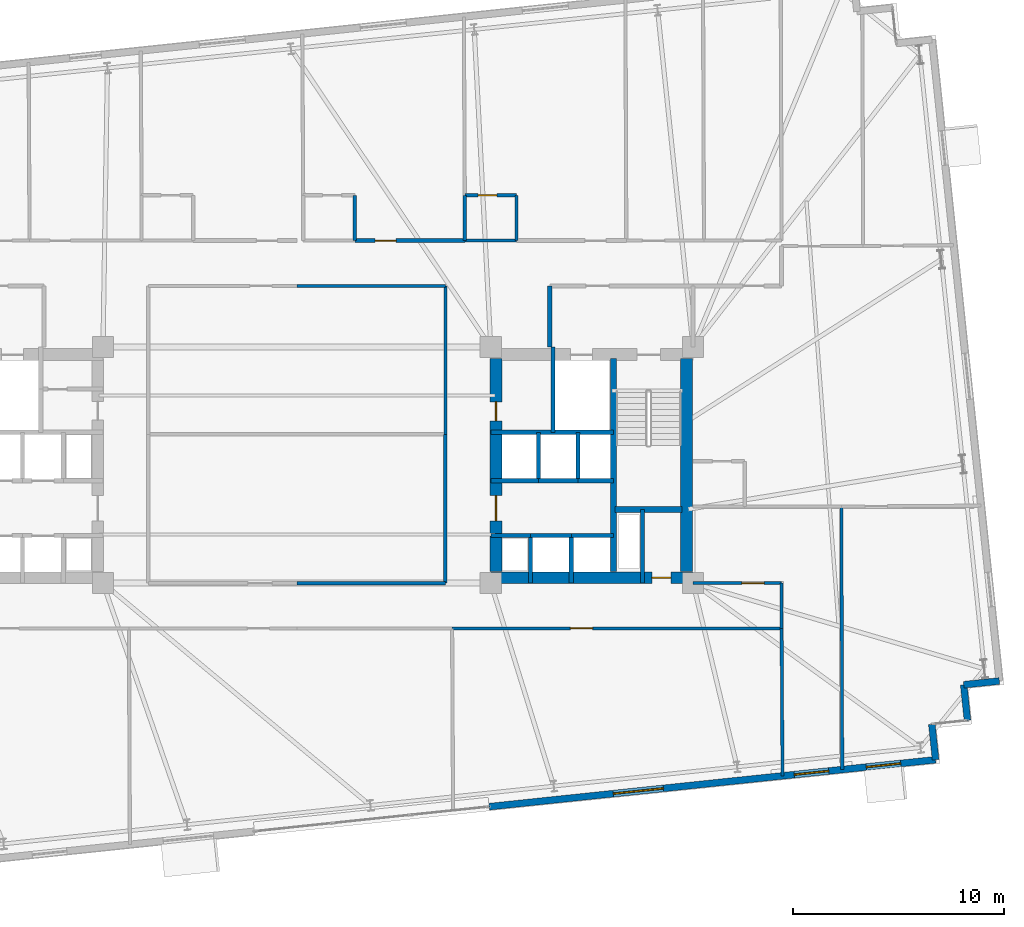
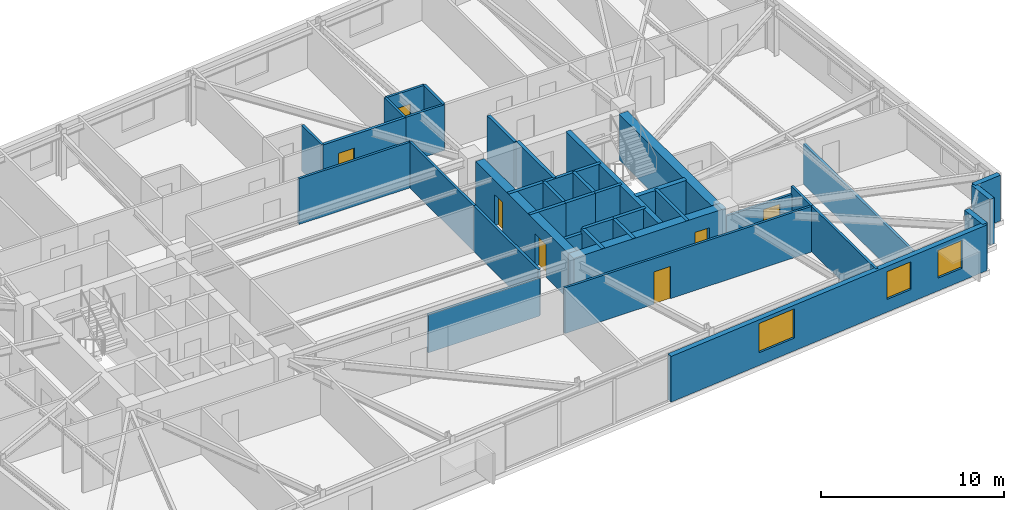
# One storey, part 18 of 23: 38 walls, 7 doors, 3 windows, 10 openings.
"""IFC4 building model written with IfcOpenShell, lengths in metres."""

from ifc_helpers import new_model, si_unit, direction, frame, frame_2d, origin, place, context, subcontext, project, spatial, rectangle, extrude, material, layer, layer_set, type_object, element, fill, save


model = new_model("IFC4")

# Units and contexts
model_context = context("Model", 3, precision=1e-05, world=origin(), true_north=direction((0.0, 1.0)))
body_context = subcontext(model_context, "Body", "Model", "MODEL_VIEW")
ifc_project = project(units=[si_unit("LENGTHUNIT", "METRE"), si_unit("AREAUNIT", "SQUARE_METRE"), si_unit("VOLUMEUNIT", "CUBIC_METRE"), si_unit("PLANEANGLEUNIT", "RADIAN"), si_unit("MASSUNIT", "GRAM", prefix="KILO")], contexts=[model_context])

# Site, building, storey
site_placement = place(None, origin())
site = spatial("IfcSite", under=ifc_project, at=site_placement, CompositionType="ELEMENT")
building_placement = place(site_placement, origin())
building = spatial("IfcBuilding", under=site, at=building_placement, Name="Qobustan Lattice House", CompositionType="ELEMENT")
storey_placement = place(building_placement, frame((0.0, 0.0, 102.449951171875)))
storey = spatial("IfcBuildingStorey", under=building, at=storey_placement, Name="L28", CompositionType="ELEMENT", Elevation=102.449951171875)

# Wall, opening, door
ifc_material_1 = material(Name="Concrete C60/75", Category="concrete")
ifc_layer_1 = layer(ifc_material_1, 0.56005859375)
ifc_layer_set_1 = layer_set([ifc_layer_1], Name="Concrete C60/75")
wall_type_1 = type_object("IfcWallType", Name="WAL-CORE-600", PredefinedType="SHEAR", material=ifc_layer_set_1)
wall_1_placement = place(storey_placement, frame((9.199951171875, -5.35009765625, 0.0), z_axis=(0.0, 0.0, 1.0), x_axis=(1.0, 0.0, 0.0)))
wall_1 = element("IfcWall", 1, at=wall_1_placement, inside=storey, type_object=wall_type_1, Name="L28 split-core shear wall CE-S", PredefinedType="SHEAR", context=body_context, shape_type="SweptSolid", body=[
    extrude(rectangle(XDim=9.60009765625, YDim=0.56005859375, at=frame_2d((4.800048828125, 0.0))), origin(), (0.0, 0.0, 1.0), 3.045166015625),
])
opening_1_placement = place(wall_1_placement, frame((7.64990234375, 0.0, 0.0)))
opening_1 = element("IfcOpeningElement", 2, at=opening_1_placement, cuts=wall_1, Name="Opening RD-01", PredefinedType="OPENING", context=body_context, shape_type="SweptSolid", body=[
    extrude(rectangle(XDim=0.89990234375, YDim=2.10009765625, at=frame_2d((0.449951171875, 1.050048828125))), frame((0.0, 0.2900390625, 0.0), z_axis=(0.0, -1.0, 0.0), x_axis=(1.0, 0.0, 0.0)), (0.0, 0.0, 1.0), 0.580078125),
])
ifc_material_2 = material(Name="Persian walnut timber and steel frame door", Category="steel")
door_type_1 = type_object("IfcDoorType", Name="DOR-RISER-FD-900x2100", OperationType="NOTDEFINED", PredefinedType="DOOR", material=ifc_material_2)
door_1_placement = place(opening_1_placement, origin())
door_1 = element("IfcDoor", 3, at=door_1_placement, inside=storey, type_object=door_type_1, Name="L28 core service riser access door E", OperationType="SINGLE_SWING_RIGHT", OverallHeight=2.10009765625, OverallWidth=0.89990234375, PredefinedType="DOOR", context=body_context, shape_type="SweptSolid", body=[
    extrude(rectangle(XDim=0.89990234375, YDim=2.10009765625, at=frame_2d((0.449951171875, 1.050048828125))), frame((0.0, 0.02490234375, 0.0), z_axis=(0.0, -1.0, 0.0), x_axis=(1.0, 0.0, 0.0)), (0.0, 0.0, 1.0), 0.050048828125),
])
fill(opening_1, door_1)

# Wall, openings, doors
wall_2_placement = place(storey_placement, frame((9.449951171875, -5.050048828125, 0.0), z_axis=(0.0, 0.0, 1.0), x_axis=(0.0, 1.0, 0.0)))
wall_2 = element("IfcWall", 4, at=wall_2_placement, inside=storey, type_object=wall_type_1, Name="L28 split-core shear wall CE-W", PredefinedType="SHEAR", context=body_context, shape_type="SweptSolid", body=[
    extrude(rectangle(XDim=10.10009765625, YDim=0.56005859375, at=frame_2d((5.050048828125, 0.0))), origin(), (0.0, 0.0, 1.0), 3.045166015625),
])
opening_2_placement = place(wall_2_placement, frame((7.14990234375, 0.0, 0.0)))
opening_2 = element("IfcOpeningElement", 5, at=opening_2_placement, cuts=wall_2, Name="Opening RD-01", PredefinedType="OPENING", context=body_context, shape_type="SweptSolid", body=[
    extrude(rectangle(XDim=0.89990234375, YDim=2.10009765625, at=frame_2d((0.449951171875, 1.050048828125))), frame((0.0, 0.2900390625, 0.0), z_axis=(0.0, -1.0, 0.0), x_axis=(1.0, 0.0, 0.0)), (0.0, 0.0, 1.0), 0.580078125),
])
opening_3_placement = place(wall_2_placement, frame((2.39990234375, 0.0, 0.0)))
opening_3 = element("IfcOpeningElement", 6, at=opening_3_placement, cuts=wall_2, Name="Opening FD-01", PredefinedType="OPENING", context=body_context, shape_type="SweptSolid", body=[
    extrude(rectangle(XDim=1.199951171875, YDim=2.14990234375, at=frame_2d((0.60009765625, 1.074951171875))), frame((0.0, 0.2900390625, 0.0), z_axis=(0.0, -1.0, 0.0), x_axis=(1.0, 0.0, 0.0)), (0.0, 0.0, 1.0), 0.580078125),
])
ifc_material_3 = material(Name="Persian walnut timber and steel frame door", Category="steel")
door_type_2 = type_object("IfcDoorType", Name="DOR-LOBBY-FD-1200x2150", OperationType="NOTDEFINED", PredefinedType="DOOR", material=ifc_material_3)
door_2_placement = place(opening_3_placement, origin())
door_2 = element("IfcDoor", 7, at=door_2_placement, inside=storey, type_object=door_type_2, Name="L28 East passenger lift lobby fire door", OperationType="SINGLE_SWING_LEFT", OverallHeight=2.14990234375, OverallWidth=1.199951171875, PredefinedType="DOOR", context=body_context, shape_type="SweptSolid", body=[
    extrude(rectangle(XDim=1.199951171875, YDim=2.14990234375, at=frame_2d((0.60009765625, 1.074951171875))), frame((0.0, 0.02490234375, 0.0), z_axis=(0.0, -1.0, 0.0), x_axis=(1.0, 0.0, 0.0)), (0.0, 0.0, 1.0), 0.050048828125),
])
fill(opening_3, door_2)
door_3_placement = place(opening_2_placement, origin())
door_3 = element("IfcDoor", 8, at=door_3_placement, inside=storey, type_object=door_type_1, Name="L28 Housekeeping linen store fire door", OperationType="SINGLE_SWING_RIGHT", OverallHeight=2.10009765625, OverallWidth=0.89990234375, PredefinedType="DOOR", context=body_context, shape_type="SweptSolid", body=[
    extrude(rectangle(XDim=0.89990234375, YDim=2.10009765625, at=frame_2d((0.449951171875, 1.050048828125))), frame((0.0, 0.02490234375, 0.0), z_axis=(0.0, -1.0, 0.0), x_axis=(1.0, 0.0, 0.0)), (0.0, 0.0, 1.0), 0.050048828125),
])
fill(opening_2, door_3)

# Walls
wall_3_placement = place(storey_placement, frame((18.489990234375, -5.050048828125, 0.0), z_axis=(0.0, 0.0, 1.0), x_axis=(0.0, 1.0, 0.0)))
element("IfcWall", 9, at=wall_3_placement, inside=storey, type_object=wall_type_1, Name="L28 split-core shear wall CE-E", PredefinedType="SHEAR", context=body_context, shape_type="SweptSolid", body=[
    extrude(rectangle(XDim=10.10009765625, YDim=0.56005859375, at=frame_2d((5.050048828125, 0.0))), origin(), (0.0, 0.0, 1.0), 3.045166015625),
])
ifc_material_4 = material(Name="Concrete C50/60", Category="concrete")
ifc_layer_2 = layer(ifc_material_4, 0.280029296875)
ifc_layer_set_2 = layer_set([ifc_layer_2], Name="Concrete C50/60")
wall_type_2 = type_object("IfcWallType", Name="WAL-CORE-SPINE-280", PredefinedType="SHEAR", material=ifc_layer_set_2)
wall_4_placement = place(storey_placement, frame((15.02001953125, -5.050048828125, 0.0), z_axis=(0.0, 0.0, 1.0), x_axis=(0.0, 1.0, 0.0)))
element("IfcWall", 10, at=wall_4_placement, inside=storey, type_object=wall_type_2, Name="L28 split-core shear wall CE-M", PredefinedType="SHEAR", context=body_context, shape_type="SweptSolid", body=[
    extrude(rectangle(XDim=10.10009765625, YDim=0.300048828125, at=frame_2d((5.050048828125, 0.0))), origin(), (0.0, 0.0, 1.0), 3.045166015625),
])
wall_5_placement = place(storey_placement, frame((15.10009765625, -2.110107421875, 0.0), z_axis=(0.0, 0.0, 1.0), x_axis=(1.0, 0.0, 0.0)))
element("IfcWall", 11, at=wall_5_placement, inside=storey, type_object=wall_type_2, Name="L28 split-core shear wall CE-ST", PredefinedType="SHEAR", context=body_context, shape_type="SweptSolid", body=[
    extrude(rectangle(XDim=3.179931640625, YDim=0.300048828125, at=frame_2d((1.58984375, 0.0))), origin(), (0.0, 0.0, 1.0), 3.045166015625),
])
ifc_material_5 = material(Name="Precast concrete C40/50", Category="concrete")
ifc_layer_3 = layer(ifc_material_5, 0.320068359375)
ifc_layer_set_3 = layer_set([ifc_layer_3], Name="Precast concrete C40/50")
wall_type_3 = type_object("IfcWallType", Name="WAL-EXT-STONE-320", PredefinedType="SOLIDWALL", material=ifc_layer_set_3)
for number, where, z_axis, x_axis, name in (
    (12, (33.333251953125, -10.2490234375, 0.0), (0.0, 0.0, 1.0), (-0.994519608382, -0.104550220202, 0.0), "L28 exterior limestone-clad wall 16"),
    (13, (31.642578125, -10.4267578125, 0.0), (0.0, 0.0, 1.0), (0.104550220202, -0.994519608382, 0.0), "L28 exterior limestone-clad wall 17"),
):
    element("IfcWall", number, at=place(storey_placement, frame(where, z_axis=z_axis, x_axis=x_axis)), inside=storey, type_object=wall_type_3, Name=name, PredefinedType="SOLIDWALL", context=body_context, shape_type="SweptSolid", body=[
        extrude(rectangle(XDim=1.699951171875, YDim=0.320068359375, at=frame_2d((0.85009765625, 0.0))), origin(), (0.0, 0.0, 1.0), 3.045166015625),
    ])
wall_6_placement = place(storey_placement, frame((30.129638671875, -12.295166015625, 0.0), z_axis=(0.0, 0.0, 1.0), x_axis=(0.104565154801, -0.994518038248, 0.0)))
element("IfcWall", 14, at=wall_6_placement, inside=storey, type_object=wall_type_3, Name="L28 exterior limestone-clad wall 19", PredefinedType="SOLIDWALL", context=body_context, shape_type="SweptSolid", body=[
    extrude(rectangle(XDim=1.69970703125, YDim=0.320068359375, at=frame_2d((0.849853515625, 0.0))), origin(), (0.0, 0.0, 1.0), 3.045166015625),
])

# Wall, openings, windows
wall_7_placement = place(storey_placement, frame((30.307373046875, -13.985595703125, 0.0), z_axis=(0.0, 0.0, 1.0), x_axis=(-0.994521393935, -0.104533233979, 0.0)))
wall_7 = element("IfcWall", 15, at=wall_7_placement, inside=storey, type_object=wall_type_3, Name="L28 iwan flank stone wall A", PredefinedType="SOLIDWALL", context=body_context, shape_type="SweptSolid", body=[
    extrude(rectangle(XDim=21.300048828125, YDim=0.320068359375, at=frame_2d((10.64990234375, 0.0))), origin(), (0.0, 0.0, 1.0), 3.045166015625),
])
opening_4_placement = place(wall_7_placement, frame((1.6572265625, 0.0, 0.85009765625)))
opening_4 = element("IfcOpeningElement", 16, at=opening_4_placement, cuts=wall_7, Name="Opening WN-09", PredefinedType="OPENING", context=body_context, shape_type="SweptSolid", body=[
    extrude(rectangle(XDim=1.64990234375, YDim=1.85009765625, at=frame_2d((0.824951171875, 0.925048828125))), frame((0.0, 0.169921875, 0.0), z_axis=(0.0, -1.0, 0.0), x_axis=(1.0, 0.0, 0.0)), (0.0, 0.0, 1.0), 0.340087890625),
])
opening_5_placement = place(wall_7_placement, frame((5.1005859375, 0.0, 0.85009765625)))
opening_5 = element("IfcOpeningElement", 17, at=opening_5_placement, cuts=wall_7, Name="Opening WN-09", PredefinedType="OPENING", context=body_context, shape_type="SweptSolid", body=[
    extrude(rectangle(XDim=1.64990234375, YDim=1.85009765625, at=frame_2d((0.824951171875, 0.925048828125))), frame((0.0, 0.169921875, 0.0), z_axis=(0.0, -1.0, 0.0), x_axis=(1.0, 0.0, 0.0)), (0.0, 0.0, 1.0), 0.340087890625),
])
opening_6_placement = place(wall_7_placement, frame((12.9833984375, 0.0, 0.85009765625)))
opening_6 = element("IfcOpeningElement", 18, at=opening_6_placement, cuts=wall_7, Name="Opening WN-10", PredefinedType="OPENING", context=body_context, shape_type="SweptSolid", body=[
    extrude(rectangle(XDim=2.39990234375, YDim=1.949951171875, at=frame_2d((1.199951171875, 0.97509765625))), frame((0.0, 0.169921875, 0.0), z_axis=(0.0, -1.0, 0.0), x_axis=(1.0, 0.0, 0.0)), (0.0, 0.0, 1.0), 0.340087890625),
])
ifc_material_6 = material(Name="Double-glazed low-E aluminium window", Category="aluminium")
window_type_1 = type_object("IfcWindowType", Name="WIN-LNG-2400x1950", PartitioningType="SINGLE_PANEL", PredefinedType="WINDOW", material=ifc_material_6)
window_1_placement = place(opening_6_placement, origin())
window_1 = element("IfcWindow", 19, at=window_1_placement, inside=storey, type_object=window_type_1, Name="L28 Walnut iwan sky lounge S3 window", OverallHeight=1.949951171875, OverallWidth=2.39990234375, PartitioningType="SINGLE_PANEL", PredefinedType="WINDOW", context=body_context, shape_type="SweptSolid", body=[
    extrude(rectangle(XDim=2.39990234375, YDim=1.949951171875, at=frame_2d((1.199951171875, 0.97509765625))), frame((0.0, 0.030029296875, 0.0), z_axis=(0.0, -1.0, 0.0), x_axis=(1.0, 0.0, 0.0)), (0.0, 0.0, 1.0), 0.06005859375),
])
fill(opening_6, window_1)
ifc_material_7 = material(Name="Double-glazed low-E aluminium window", Category="aluminium")
window_type_2 = type_object("IfcWindowType", Name="WIN-STU-1650x1850", PartitioningType="SINGLE_PANEL", PredefinedType="WINDOW", material=ifc_material_7)
window_2_placement = place(opening_4_placement, origin())
window_2 = element("IfcWindow", 20, at=window_2_placement, inside=storey, type_object=window_type_2, Name="L28 Focus study room E1B window", OverallHeight=1.85009765625, OverallWidth=1.64990234375, PartitioningType="SINGLE_PANEL", PredefinedType="WINDOW", context=body_context, shape_type="SweptSolid", body=[
    extrude(rectangle(XDim=1.64990234375, YDim=1.85009765625, at=frame_2d((0.824951171875, 0.925048828125))), frame((0.0, 0.030029296875, 0.0), z_axis=(0.0, -1.0, 0.0), x_axis=(1.0, 0.0, 0.0)), (0.0, 0.0, 1.0), 0.06005859375),
])
fill(opening_4, window_2)
window_3_placement = place(opening_5_placement, origin())
window_3 = element("IfcWindow", 21, at=window_3_placement, inside=storey, type_object=window_type_2, Name="L28 Focus study room E1A window", OverallHeight=1.85009765625, OverallWidth=1.64990234375, PartitioningType="SINGLE_PANEL", PredefinedType="WINDOW", context=body_context, shape_type="SweptSolid", body=[
    extrude(rectangle(XDim=1.64990234375, YDim=1.85009765625, at=frame_2d((0.824951171875, 0.925048828125))), frame((0.0, 0.030029296875, 0.0), z_axis=(0.0, -1.0, 0.0), x_axis=(1.0, 0.0, 0.0)), (0.0, 0.0, 1.0), 0.06005859375),
])
fill(opening_5, window_3)

# Wall, opening, door
ifc_material_8 = material(Name="Gypsum fireboard acoustic partition", Category="gypsum")
ifc_layer_4 = layer(ifc_material_8, 0.179931640625)
ifc_layer_set_4 = layer_set([ifc_layer_4], Name="Gypsum fireboard acoustic partition")
wall_type_4 = type_object("IfcWallType", Name="WAL-FIRE-180", PredefinedType="PARTITIONING", material=ifc_layer_set_4)
wall_8_placement = place(storey_placement, frame((2.75, 10.64990234375, 0.0), z_axis=(0.0, 0.0, 1.0), x_axis=(1.0, 0.0, 0.0)))
wall_8 = element("IfcWall", 22, at=wall_8_placement, inside=storey, type_object=wall_type_4, Name="L28 interior partition 47", PredefinedType="PARTITIONING", context=body_context, shape_type="SweptSolid", body=[
    extrude(rectangle(XDim=5.217041015625, YDim=0.179931640625, at=frame_2d((2.6083984375, 0.0))), origin(), (0.0, 0.0, 1.0), 3.045166015625),
])
opening_7_placement = place(wall_8_placement, frame((0.962158203125, 0.0, 0.0)))
opening_7 = element("IfcOpeningElement", 23, at=opening_7_placement, cuts=wall_8, Name="Opening FD-02", PredefinedType="OPENING", context=body_context, shape_type="SweptSolid", body=[
    extrude(rectangle(XDim=1.0, YDim=2.14990234375, at=frame_2d((0.5, 1.074951171875))), frame((0.0, 0.099853515625, 0.0), z_axis=(0.0, -1.0, 0.0), x_axis=(1.0, 0.0, 0.0)), (0.0, 0.0, 1.0), 0.199951171875),
])
ifc_material_9 = material(Name="Persian walnut timber and steel frame door", Category="steel")
door_type_3 = type_object("IfcDoorType", Name="DOR-UNIT-FD-1000x2150", OperationType="NOTDEFINED", PredefinedType="DOOR", material=ifc_material_9)
door_4_placement = place(opening_7_placement, origin())
door_4 = element("IfcDoor", 24, at=door_4_placement, inside=storey, type_object=door_type_3, Name="L28 North-east floor corridor to Kitchenette and studio apartment L28-N4 door", OperationType="SINGLE_SWING_LEFT", OverallHeight=2.14990234375, OverallWidth=1.0, PredefinedType="DOOR", context=body_context, shape_type="SweptSolid", body=[
    extrude(rectangle(XDim=1.0, YDim=2.14990234375, at=frame_2d((0.5, 1.074951171875))), frame((0.0, 0.02490234375, 0.0), z_axis=(0.0, -1.0, 0.0), x_axis=(1.0, 0.0, 0.0)), (0.0, 0.0, 1.0), 0.050048828125),
])
fill(opening_7, door_4)

# Wall
ifc_material_10 = material(Name="Acoustic twin-stud gypsum partition", Category="gypsum")
ifc_layer_5 = layer(ifc_material_10, 0.14990234375)
ifc_layer_set_5 = layer_set([ifc_layer_5], Name="Acoustic twin-stud gypsum partition")
wall_type_5 = type_object("IfcWallType", Name="WAL-PART-150", PredefinedType="PARTITIONING", material=ifc_layer_set_5)
wall_9_placement = place(storey_placement, frame((7.050048828125, 8.5, 0.0), z_axis=(0.0, 0.0, 1.0), x_axis=(-1.0, 0.0, 0.0)))
element("IfcWall", 25, at=wall_9_placement, inside=storey, type_object=wall_type_5, Name="L28 interior partition 53", PredefinedType="PARTITIONING", context=body_context, shape_type="SweptSolid", body=[
    extrude(rectangle(XDim=7.050048828125, YDim=0.14990234375, at=frame_2d((3.52490234375, 0.0))), origin(), (0.0, 0.0, 1.0), 3.045166015625),
])

# Wall, opening, door
wall_10_placement = place(storey_placement, frame((18.800048828125, -5.60009765625, 0.0), z_axis=(0.0, 0.0, 1.0), x_axis=(1.0, 0.0, 0.0)))
wall_10 = element("IfcWall", 26, at=wall_10_placement, inside=storey, type_object=wall_type_5, Name="L28 interior partition 60", PredefinedType="PARTITIONING", context=body_context, shape_type="SweptSolid", body=[
    extrude(rectangle(XDim=4.199951171875, YDim=0.14990234375, at=frame_2d((2.10009765625, 0.0))), origin(), (0.0, 0.0, 1.0), 2.530029296875),
])
opening_8_placement = place(wall_10_placement, frame((2.3212890625, 0.0, 0.0)))
opening_8 = element("IfcOpeningElement", 27, at=opening_8_placement, cuts=wall_10, Name="Opening ID-02", PredefinedType="OPENING", context=body_context, shape_type="SweptSolid", body=[
    extrude(rectangle(XDim=1.050048828125, YDim=2.14990234375, at=frame_2d((0.52490234375, 1.074951171875))), frame((0.0, 0.0849609375, 0.0), z_axis=(0.0, -1.0, 0.0), x_axis=(1.0, 0.0, 0.0)), (0.0, 0.0, 1.0), 0.169921875),
])
ifc_material_11 = material(Name="Persian walnut timber and steel frame door", Category="steel")
door_type_4 = type_object("IfcDoorType", Name="DOR-STUDY-1050x2150", OperationType="NOTDEFINED", PredefinedType="DOOR", material=ifc_material_11)
door_5_placement = place(opening_8_placement, origin())
door_5 = element("IfcDoor", 28, at=door_5_placement, inside=storey, type_object=door_type_4, Name="L28 South-east floor corridor to Focus study room E1A door", OperationType="SINGLE_SWING_LEFT", OverallHeight=2.14990234375, OverallWidth=1.050048828125, PredefinedType="DOOR", context=body_context, shape_type="SweptSolid", body=[
    extrude(rectangle(XDim=1.050048828125, YDim=2.14990234375, at=frame_2d((0.52490234375, 1.074951171875))), frame((0.0, 0.02490234375, 0.0), z_axis=(0.0, -1.0, 0.0), x_axis=(1.0, 0.0, 0.0)), (0.0, 0.0, 1.0), 0.050048828125),
])
fill(opening_8, door_5)

# Wall
wall_11_placement = place(storey_placement, frame((23.0, -5.60009765625, 0.0), z_axis=(0.0, 0.0, 1.0), x_axis=(0.0, -1.0, 0.0)))
element("IfcWall", 29, at=wall_11_placement, inside=storey, type_object=wall_type_5, Name="L28 interior partition 61", PredefinedType="PARTITIONING", context=body_context, shape_type="SweptSolid", body=[
    extrude(rectangle(XDim=2.14990234375, YDim=0.14990234375, at=frame_2d((1.074951171875, 0.0))), origin(), (0.0, 0.0, 1.0), 3.045166015625),
])

# Wall, opening, door
wall_12_placement = place(storey_placement, frame((23.0, -7.75, 0.0), z_axis=(0.0, 0.0, 1.0), x_axis=(-1.0, 0.0, 0.0)))
wall_12 = element("IfcWall", 30, at=wall_12_placement, inside=storey, type_object=wall_type_5, Name="L28 interior partition 63", PredefinedType="PARTITIONING", context=body_context, shape_type="SweptSolid", body=[
    extrude(rectangle(XDim=15.633056640625, YDim=0.14990234375, at=frame_2d((7.81640625, 0.0))), origin(), (0.0, 0.0, 1.0), 3.045166015625),
])
opening_9_placement = place(wall_12_placement, frame((8.969482421875, 0.0, 0.0)))
opening_9 = element("IfcOpeningElement", 31, at=opening_9_placement, cuts=wall_12, Name="Opening ID-02", PredefinedType="OPENING", context=body_context, shape_type="SweptSolid", body=[
    extrude(rectangle(XDim=1.050048828125, YDim=2.14990234375, at=frame_2d((0.52490234375, 1.074951171875))), frame((0.0, 0.0849609375, 0.0), z_axis=(0.0, -1.0, 0.0), x_axis=(1.0, 0.0, 0.0)), (0.0, 0.0, 1.0), 0.169921875),
])
door_6_placement = place(opening_9_placement, origin())
door_6 = element("IfcDoor", 32, at=door_6_placement, inside=storey, type_object=door_type_4, Name="L28 South-east floor corridor to Walnut iwan sky lounge S3 door", OperationType="SINGLE_SWING_RIGHT", OverallHeight=2.14990234375, OverallWidth=1.050048828125, PredefinedType="DOOR", context=body_context, shape_type="SweptSolid", body=[
    extrude(rectangle(XDim=1.050048828125, YDim=2.14990234375, at=frame_2d((0.52490234375, 1.074951171875))), frame((0.0, 0.02490234375, 0.0), z_axis=(0.0, -1.0, 0.0), x_axis=(1.0, 0.0, 0.0)), (0.0, 0.0, 1.0), 0.050048828125),
])
fill(opening_9, door_6)

# Walls
wall_13_placement = place(storey_placement, frame((7.050048828125, 1.449951171875, 0.0), z_axis=(0.0, 0.0, 1.0), x_axis=(0.0, 1.0, 0.0)))
element("IfcWall", 33, at=wall_13_placement, inside=storey, type_object=wall_type_5, Name="L28 interior partition 68", PredefinedType="PARTITIONING", context=body_context, shape_type="SweptSolid", body=[
    extrude(rectangle(XDim=7.050048828125, YDim=0.14990234375, at=frame_2d((3.52490234375, 0.0))), origin(), (0.0, 0.0, 1.0), 3.045166015625),
])
wall_14_placement = place(storey_placement, frame((25.835693359375, -1.971923828125, 0.0), z_axis=(0.0, 0.0, 1.0), x_axis=(0.003521449358, -0.999993799678, 0.0)))
element("IfcWall", 34, at=wall_14_placement, inside=storey, type_object=wall_type_5, Name="L28 interior partition 78", PredefinedType="PARTITIONING", context=body_context, shape_type="SweptSolid", body=[
    extrude(rectangle(XDim=12.479248046875, YDim=0.14990234375, at=frame_2d((6.23974609375, 0.0))), origin(), (0.0, 0.0, 1.0), 2.699951171875),
])
wall_15_placement = place(storey_placement, frame((23.0439453125, -14.7490234375, 0.0), z_axis=(0.0, 0.0, 1.0), x_axis=(-0.006278653971, 0.999980289058, 0.0)))
element("IfcWall", 35, at=wall_15_placement, inside=storey, type_object=wall_type_5, Name="L28 interior partition 81", PredefinedType="PARTITIONING", context=body_context, shape_type="SweptSolid", body=[
    extrude(rectangle(XDim=6.999267578125, YDim=0.14990234375, at=frame_2d((3.49951171875, 0.0))), origin(), (0.0, 0.0, 1.0), 3.045166015625),
])
ifc_material_12 = material(Name="High-mass acoustic twin-stud partition", Category="gypsum")
ifc_layer_6 = layer(ifc_material_12, 0.1650390625)
ifc_layer_set_6 = layer_set([ifc_layer_6], Name="High-mass acoustic twin-stud partition")
wall_type_6 = type_object("IfcWallType", Name="WAL-PART-165", PredefinedType="PARTITIONING", material=ifc_layer_set_6)
wall_16_placement = place(storey_placement, frame((0.0, -5.60009765625, 0.0), z_axis=(0.0, 0.0, 1.0), x_axis=(1.0, 0.0, 0.0)))
element("IfcWall", 36, at=wall_16_placement, inside=storey, type_object=wall_type_6, Name="L28 interior partition 64", PredefinedType="PARTITIONING", context=body_context, shape_type="SweptSolid", body=[
    extrude(rectangle(XDim=7.050048828125, YDim=0.1650390625, at=frame_2d((3.52490234375, 0.0))), origin(), (0.0, 0.0, 1.0), 2.530029296875),
])
wall_17_placement = place(storey_placement, frame((7.050048828125, -5.60009765625, 0.0), z_axis=(0.0, 0.0, 1.0), x_axis=(0.0, 1.0, 0.0)))
element("IfcWall", 37, at=wall_17_placement, inside=storey, type_object=wall_type_6, Name="L28 interior partition 67", PredefinedType="PARTITIONING", context=body_context, shape_type="SweptSolid", body=[
    extrude(rectangle(XDim=7.050048828125, YDim=0.1650390625, at=frame_2d((3.52490234375, 0.0))), origin(), (0.0, 0.0, 1.0), 3.045166015625),
])
ifc_material_13 = material(Name="Two-hour gypsum fireboard acoustic partition", Category="gypsum")
ifc_layer_7 = layer(ifc_material_13, 0.199951171875)
ifc_layer_set_7 = layer_set([ifc_layer_7], Name="Two-hour gypsum fireboard acoustic partition")
wall_type_7 = type_object("IfcWallType", Name="WAL-PROT-200", PredefinedType="PARTITIONING", material=ifc_layer_set_7)
wall_18_placement = place(storey_placement, frame((12.0, 8.5, 0.0), z_axis=(0.0, 0.0, 1.0), x_axis=(0.0, -1.0, 0.0)))
element("IfcWall", 38, at=wall_18_placement, inside=storey, type_object=wall_type_7, Name="L28 interior partition 23", PredefinedType="PARTITIONING", context=body_context, shape_type="SweptSolid", body=[
    extrude(rectangle(XDim=2.89990234375, YDim=0.199951171875, at=frame_2d((1.449951171875, 0.0))), origin(), (0.0, 0.0, 1.0), 3.045166015625),
])
ifc_material_14 = material(Name="Concrete C40/50", Category="concrete")
ifc_layer_8 = layer(ifc_material_14, 0.199951171875)
ifc_layer_set_8 = layer_set([ifc_layer_8], Name="Concrete C40/50")
wall_type_8 = type_object("IfcWallType", Name="WAL-SHAFT-200", PredefinedType="PARTITIONING", material=ifc_layer_set_8)
wall_19_placement = place(storey_placement, frame((16.39990234375, -2.110107421875, 0.0), z_axis=(0.0, 0.0, 1.0), x_axis=(0.0, -1.0, 0.0)))
element("IfcWall", 39, at=wall_19_placement, inside=storey, type_object=wall_type_8, Name="L28 interior partition 20", PredefinedType="PARTITIONING", context=body_context, shape_type="SweptSolid", body=[
    extrude(rectangle(XDim=3.489990234375, YDim=0.199951171875, at=frame_2d((1.7451171875, 0.0))), origin(), (0.0, 0.0, 1.0), 3.045166015625),
])
wall_20_placement = place(storey_placement, frame((12.14990234375, 5.60009765625, 0.0), z_axis=(0.0, 0.0, 1.0), x_axis=(0.0, -1.0, 0.0)))
element("IfcWall", 40, at=wall_20_placement, inside=storey, type_object=wall_type_8, Name="L28 interior partition 21", PredefinedType="PARTITIONING", context=body_context, shape_type="SweptSolid", body=[
    extrude(rectangle(XDim=4.050048828125, YDim=0.199951171875, at=frame_2d((2.02490234375, 0.0))), origin(), (0.0, 0.0, 1.0), 3.045166015625),
])
wall_21_placement = place(storey_placement, frame((9.199951171875, -3.35009765625, 0.0), z_axis=(0.0, 0.0, 1.0), x_axis=(1.0, 0.0, 0.0)))
element("IfcWall", 41, at=wall_21_placement, inside=storey, type_object=wall_type_8, Name="L28 interior partition 26", PredefinedType="PARTITIONING", context=body_context, shape_type="SweptSolid", body=[
    extrude(rectangle(XDim=1.880126953125, YDim=0.199951171875, at=frame_2d((0.93994140625, 0.0))), origin(), (0.0, 0.0, 1.0), 2.760009765625),
])
wall_22_placement = place(storey_placement, frame((11.080078125, -3.35009765625, 0.0), z_axis=(0.0, 0.0, 1.0), x_axis=(1.0, 0.0, 0.0)))
element("IfcWall", 42, at=wall_22_placement, inside=storey, type_object=wall_type_8, Name="L28 interior partition 27", PredefinedType="PARTITIONING", context=body_context, shape_type="SweptSolid", body=[
    extrude(rectangle(XDim=1.93994140625, YDim=0.199951171875, at=frame_2d((0.969970703125, 0.0))), origin(), (0.0, 0.0, 1.0), 3.045166015625),
])
wall_23_placement = place(storey_placement, frame((13.02001953125, -3.35009765625, 0.0), z_axis=(0.0, 0.0, 1.0), x_axis=(1.0, 0.0, 0.0)))
element("IfcWall", 43, at=wall_23_placement, inside=storey, type_object=wall_type_8, Name="L28 interior partition 28", PredefinedType="PARTITIONING", context=body_context, shape_type="SweptSolid", body=[
    extrude(rectangle(XDim=2.0, YDim=0.199951171875, at=frame_2d((1.0, 0.0))), origin(), (0.0, 0.0, 1.0), 3.045166015625),
])
wall_24_placement = place(storey_placement, frame((11.4599609375, -0.75, 0.0), z_axis=(0.0, 0.0, 1.0), x_axis=(-1.0, 0.0, 0.0)))
element("IfcWall", 44, at=wall_24_placement, inside=storey, type_object=wall_type_8, Name="L28 interior partition 29", PredefinedType="PARTITIONING", context=body_context, shape_type="SweptSolid", body=[
    extrude(rectangle(XDim=2.260009765625, YDim=0.199951171875, at=frame_2d((1.1298828125, 0.0))), origin(), (0.0, 0.0, 1.0), 3.045166015625),
])
wall_25_placement = place(storey_placement, frame((13.340087890625, -0.75, 0.0), z_axis=(0.0, 0.0, 1.0), x_axis=(-1.0, 0.0, 0.0)))
element("IfcWall", 45, at=wall_25_placement, inside=storey, type_object=wall_type_8, Name="L28 interior partition 30", PredefinedType="PARTITIONING", context=body_context, shape_type="SweptSolid", body=[
    extrude(rectangle(XDim=1.880126953125, YDim=0.199951171875, at=frame_2d((0.93994140625, 0.0))), origin(), (0.0, 0.0, 1.0), 3.045166015625),
])
wall_26_placement = place(storey_placement, frame((15.02001953125, -0.75, 0.0), z_axis=(0.0, 0.0, 1.0), x_axis=(-1.0, 0.0, 0.0)))
element("IfcWall", 46, at=wall_26_placement, inside=storey, type_object=wall_type_8, Name="L28 interior partition 31", PredefinedType="PARTITIONING", context=body_context, shape_type="SweptSolid", body=[
    extrude(rectangle(XDim=1.679931640625, YDim=0.199951171875, at=frame_2d((0.83984375, 0.0))), origin(), (0.0, 0.0, 1.0), 3.045166015625),
])
for number, where, z_axis, x_axis, name in (
    (47, (11.080078125, -5.60009765625, 0.0), (0.0, 0.0, 1.0), (0.0, 1.0, 0.0), "L28 interior partition 33"),
    (48, (13.02001953125, -5.60009765625, 0.0), (0.0, 0.0, 1.0), (0.0, 1.0, 0.0), "L28 interior partition 34"),
):
    element("IfcWall", number, at=place(storey_placement, frame(where, z_axis=z_axis, x_axis=x_axis)), inside=storey, type_object=wall_type_8, Name=name, PredefinedType="PARTITIONING", context=body_context, shape_type="SweptSolid", body=[
        extrude(rectangle(XDim=2.25, YDim=0.199951171875, at=frame_2d((1.125, 0.0))), origin(), (0.0, 0.0, 1.0), 3.045166015625),
    ])
for number, where, z_axis, x_axis, name in (
    (49, (11.4599609375, -0.75, 0.0), (0.0, 0.0, 1.0), (0.0, 1.0, 0.0), "L28 interior partition 35"),
    (50, (13.340087890625, -0.75, 0.0), (0.0, 0.0, 1.0), (0.0, 1.0, 0.0), "L28 interior partition 36"),
):
    element("IfcWall", number, at=place(storey_placement, frame(where, z_axis=z_axis, x_axis=x_axis)), inside=storey, type_object=wall_type_8, Name=name, PredefinedType="PARTITIONING", context=body_context, shape_type="SweptSolid", body=[
        extrude(rectangle(XDim=2.300048828125, YDim=0.199951171875, at=frame_2d((1.14990234375, 0.0))), origin(), (0.0, 0.0, 1.0), 3.045166015625),
    ])
wall_27_placement = place(storey_placement, frame((9.199951171875, 1.550048828125, 0.0), z_axis=(0.0, 0.0, 1.0), x_axis=(1.0, 0.0, 0.0)))
element("IfcWall", 51, at=wall_27_placement, inside=storey, type_object=wall_type_8, Name="L28 interior partition 110", PredefinedType="PARTITIONING", context=body_context, shape_type="SweptSolid", body=[
    extrude(rectangle(XDim=5.820068359375, YDim=0.199951171875, at=frame_2d((2.91015625, 0.0))), origin(), (0.0, 0.0, 1.0), 3.045166015625),
])
ifc_material_15 = material(Name="Moisture-resistant acoustic plumbing wall", Category="gypsum")
ifc_layer_9 = layer(ifc_material_15, 0.14990234375)
ifc_layer_set_9 = layer_set([ifc_layer_9], Name="Moisture-resistant acoustic plumbing wall")
wall_type_9 = type_object("IfcWallType", Name="WAL-WET-150", PredefinedType="PLUMBINGWALL", material=ifc_layer_set_9)
wall_28_placement = place(storey_placement, frame((7.967041015625, 10.64990234375, 0.0), z_axis=(0.0, 0.0, 1.0), x_axis=(1.0, 0.0, 0.0)))
element("IfcWall", 52, at=wall_28_placement, inside=storey, type_object=wall_type_9, Name="L28 interior partition 50", PredefinedType="PLUMBINGWALL", context=body_context, shape_type="SweptSolid", body=[
    extrude(rectangle(XDim=2.449951171875, YDim=0.14990234375, at=frame_2d((1.22509765625, 0.0))), origin(), (0.0, 0.0, 1.0), 3.045166015625),
])
for number, where, z_axis, x_axis, name in (
    (53, (2.75, 10.64990234375, 0.0), (0.0, 0.0, 1.0), (0.0, 1.0, 0.0), "L28 interior partition 98"),
    (54, (7.967041015625, 12.800048828125, 0.0), (0.0, 0.0, 1.0), (0.0, -1.0, 0.0), "L28 interior partition 100"),
):
    element("IfcWall", number, at=place(storey_placement, frame(where, z_axis=z_axis, x_axis=x_axis)), inside=storey, type_object=wall_type_9, Name=name, PredefinedType="PLUMBINGWALL", context=body_context, shape_type="SweptSolid", body=[
        extrude(rectangle(XDim=2.150146484375, YDim=0.14990234375, at=frame_2d((1.0751953125, 0.0))), origin(), (0.0, 0.0, 1.0), 3.045166015625),
    ])

# Wall, opening, door
wall_29_placement = place(storey_placement, frame((10.4169921875, 12.800048828125, 0.0), z_axis=(0.0, 0.0, 1.0), x_axis=(-1.0, 0.0, 0.0)))
wall_29 = element("IfcWall", 55, at=wall_29_placement, inside=storey, type_object=wall_type_9, Name="L28 interior partition 101", PredefinedType="PLUMBINGWALL", context=body_context, shape_type="SweptSolid", body=[
    extrude(rectangle(XDim=2.449951171875, YDim=0.14990234375, at=frame_2d((1.22509765625, 0.0))), origin(), (0.0, 0.0, 1.0), 3.045166015625),
])
opening_10_placement = place(wall_29_placement, frame((0.92138671875, 0.0, 0.0)))
opening_10 = element("IfcOpeningElement", 56, at=opening_10_placement, cuts=wall_29, Name="Opening WD-01", PredefinedType="OPENING", context=body_context, shape_type="SweptSolid", body=[
    extrude(rectangle(XDim=0.89990234375, YDim=2.10009765625, at=frame_2d((0.449951171875, 1.050048828125))), frame((0.0, 0.0849609375, 0.0), z_axis=(0.0, -1.0, 0.0), x_axis=(1.0, 0.0, 0.0)), (0.0, 0.0, 1.0), 0.169921875),
])
ifc_material_16 = material(Name="Persian walnut timber and steel frame door", Category="steel")
door_type_5 = type_object("IfcDoorType", Name="DOR-WET-900x2100", OperationType="NOTDEFINED", PredefinedType="DOOR", material=ifc_material_16)
door_7_placement = place(opening_10_placement, origin())
door_7 = element("IfcDoor", 57, at=door_7_placement, inside=storey, type_object=door_type_5, Name="L28 Kitchenette and studio apartment L28-N5 to En-suite bathroom L28-N5 door", OperationType="SINGLE_SWING_RIGHT", OverallHeight=2.10009765625, OverallWidth=0.89990234375, PredefinedType="DOOR", context=body_context, shape_type="SweptSolid", body=[
    extrude(rectangle(XDim=0.89990234375, YDim=2.10009765625, at=frame_2d((0.449951171875, 1.050048828125))), frame((0.0, 0.02490234375, 0.0), z_axis=(0.0, -1.0, 0.0), x_axis=(1.0, 0.0, 0.0)), (0.0, 0.0, 1.0), 0.050048828125),
])
fill(opening_10, door_7)

# Wall
wall_30_placement = place(storey_placement, frame((10.4169921875, 10.64990234375, 0.0), z_axis=(0.0, 0.0, 1.0), x_axis=(0.0, 1.0, 0.0)))
element("IfcWall", 58, at=wall_30_placement, inside=storey, type_object=wall_type_9, Name="L28 interior partition 102", PredefinedType="PLUMBINGWALL", context=body_context, shape_type="SweptSolid", body=[
    extrude(rectangle(XDim=2.150146484375, YDim=0.14990234375, at=frame_2d((1.0751953125, 0.0))), origin(), (0.0, 0.0, 1.0), 3.045166015625),
])

save(model, "model.ifc")
